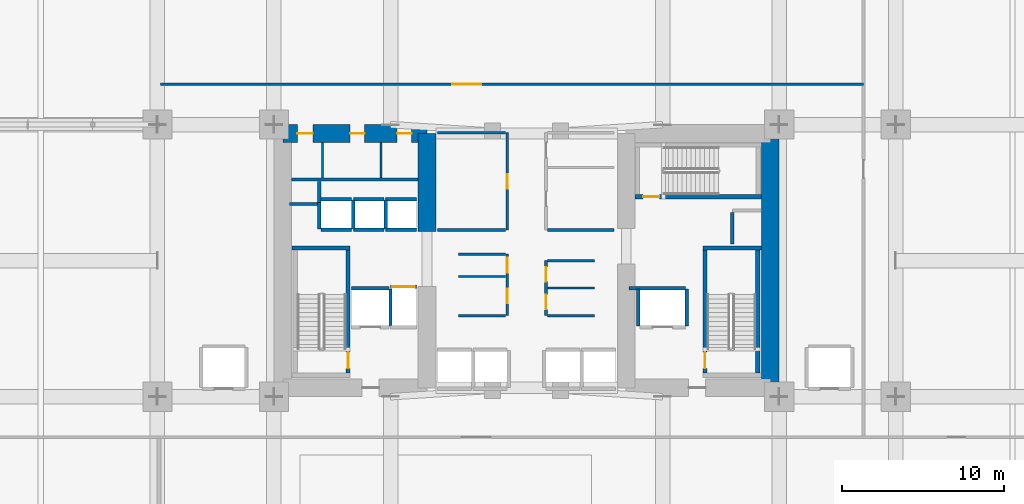
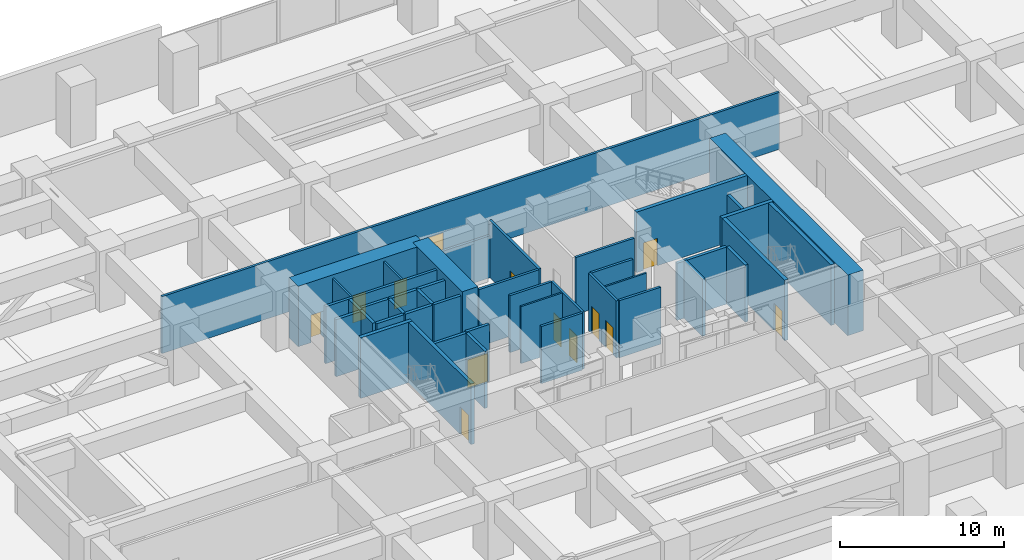
# One storey, part 17 of 25: 43 walls, 13 doors, 13 openings.
"""IFC4 building model written with IfcOpenShell, lengths in metres."""

from ifc_helpers import new_model, si_unit, direction, frame, frame_2d, origin, place, context, subcontext, project, spatial, rectangle, extrude, material, layer, layer_set, type_object, element, fill, save


model = new_model("IFC4")

# Units and contexts
model_context = context("Model", 3, precision=1e-05, world=origin(), true_north=direction((0.0, 1.0)))
body_context = subcontext(model_context, "Body", "Model", "MODEL_VIEW")
ifc_project = project(units=[si_unit("LENGTHUNIT", "METRE"), si_unit("AREAUNIT", "SQUARE_METRE"), si_unit("VOLUMEUNIT", "CUBIC_METRE"), si_unit("PLANEANGLEUNIT", "RADIAN"), si_unit("MASSUNIT", "GRAM", prefix="KILO")], contexts=[model_context])

# Site, building, storey
site_placement = place(None, origin())
site = spatial("IfcSite", under=ifc_project, at=site_placement, CompositionType="ELEMENT")
building_placement = place(site_placement, origin())
building = spatial("IfcBuilding", under=site, at=building_placement, Name="Kiyonajd Concourse Tower", CompositionType="ELEMENT")
storey_placement = place(building_placement, frame((0.0, 0.0, 17.10009765625)))
storey = spatial("IfcBuildingStorey", under=building, at=storey_placement, Name="L05", CompositionType="ELEMENT", Elevation=17.10009765625)

# Wall
ifc_material_1 = material(Name="Concrete C80/95", Category="concrete")
ifc_layer_1 = layer(ifc_material_1, 1.10009765625)
ifc_layer_set_1 = layer_set([ifc_layer_1], Name="Concrete C80/95")
wall_type_1 = type_object("IfcWallType", Name="WL-CORE-1100", PredefinedType="SHEAR", material=ifc_layer_set_1)
wall_1_placement = place(storey_placement, frame((41.85009765625, 37.800048828125, 0.0), z_axis=(0.0, 0.0, 1.0), x_axis=(0.0, 1.0, 0.0)))
element("IfcWall", 1, at=wall_1_placement, inside=storey, type_object=wall_type_1, Name="L05 West Core Inner North Shear Wall", PredefinedType="SHEAR", context=body_context, shape_type="SweptSolid", body=[
    extrude(rectangle(XDim=6.050048828125, YDim=1.10009765625, at=frame_2d((3.02490234375, 0.0))), origin(), (0.0, 0.0, 1.0), 4.5),
])

# Wall, openings, doors
wall_2_placement = place(storey_placement, frame((32.949951171875, 43.85009765625, 0.0), z_axis=(0.0, 0.0, 1.0), x_axis=(1.0, 0.0, 0.0)))
wall_2 = element("IfcWall", 2, at=wall_2_placement, inside=storey, type_object=wall_type_1, Name="L05 West Core North Shear Wall", PredefinedType="SHEAR", context=body_context, shape_type="SweptSolid", body=[
    extrude(rectangle(XDim=8.900146484375, YDim=1.10009765625, at=frame_2d((4.4501953125, 0.0))), origin(), (0.0, 0.0, 1.0), 4.5),
])
opening_1_placement = place(wall_2_placement, frame((0.89990234375, 0.0, 0.0)))
opening_1 = element("IfcOpeningElement", 3, at=opening_1_placement, cuts=wall_2, Name="Opening DI1", PredefinedType="OPENING", context=body_context, shape_type="SweptSolid", body=[
    extrude(rectangle(XDim=0.949951171875, YDim=2.0400390625, at=frame_2d((0.47509765625, 1.02001953125))), frame((0.0, 0.56005859375, 0.0), z_axis=(0.0, -1.0, 0.0), x_axis=(1.0, 0.0, 0.0)), (0.0, 0.0, 1.0), 1.1201171875),
])
opening_2_placement = place(wall_2_placement, frame((4.14990234375, 0.0, 0.0)))
opening_2 = element("IfcOpeningElement", 4, at=opening_2_placement, cuts=wall_2, Name="Opening DI2", PredefinedType="OPENING", context=body_context, shape_type="SweptSolid", body=[
    extrude(rectangle(XDim=0.89990234375, YDim=2.02001953125, at=frame_2d((0.449951171875, 1.010009765625))), frame((0.0, 0.56005859375, 0.0), z_axis=(0.0, -1.0, 0.0), x_axis=(1.0, 0.0, 0.0)), (0.0, 0.0, 1.0), 1.1201171875),
])
opening_3_placement = place(wall_2_placement, frame((7.050048828125, 0.0, 0.0)))
opening_3 = element("IfcOpeningElement", 5, at=opening_3_placement, cuts=wall_2, Name="Opening DI2", PredefinedType="OPENING", context=body_context, shape_type="SweptSolid", body=[
    extrude(rectangle(XDim=0.89990234375, YDim=2.02001953125, at=frame_2d((0.449951171875, 1.010009765625))), frame((0.0, 0.56005859375, 0.0), z_axis=(0.0, -1.0, 0.0), x_axis=(1.0, 0.0, 0.0)), (0.0, 0.0, 1.0), 1.1201171875),
])
ifc_material_2 = material(Name="Natural Oak Acoustic Timber Veneer", Category="wood")
door_type_1 = type_object("IfcDoorType", Name="DR-INT-900", OperationType="NOTDEFINED", PredefinedType="DOOR", material=ifc_material_2)
door_1_placement = place(opening_2_placement, origin())
door_1 = element("IfcDoor", 6, at=door_1_placement, inside=storey, type_object=door_type_1, Name="L05 Male Restroom Door", OperationType="SINGLE_SWING_RIGHT", OverallHeight=2.02001953125, OverallWidth=0.89990234375, PredefinedType="DOOR", context=body_context, shape_type="SweptSolid", body=[
    extrude(rectangle(XDim=0.89990234375, YDim=2.02001953125, at=frame_2d((0.449951171875, 1.010009765625))), frame((0.0, 0.02490234375, 0.0), z_axis=(0.0, -1.0, 0.0), x_axis=(1.0, 0.0, 0.0)), (0.0, 0.0, 1.0), 0.050048828125),
])
fill(opening_2, door_1)
door_2_placement = place(opening_3_placement, origin())
door_2 = element("IfcDoor", 7, at=door_2_placement, inside=storey, type_object=door_type_1, Name="L05 Female Restroom Door", OperationType="SINGLE_SWING_LEFT", OverallHeight=2.02001953125, OverallWidth=0.89990234375, PredefinedType="DOOR", context=body_context, shape_type="SweptSolid", body=[
    extrude(rectangle(XDim=0.89990234375, YDim=2.02001953125, at=frame_2d((0.449951171875, 1.010009765625))), frame((0.0, 0.02490234375, 0.0), z_axis=(0.0, -1.0, 0.0), x_axis=(1.0, 0.0, 0.0)), (0.0, 0.0, 1.0), 0.050048828125),
])
fill(opening_3, door_2)
door_type_2 = type_object("IfcDoorType", Name="DR-INT-950", OperationType="NOTDEFINED", PredefinedType="DOOR", material=ifc_material_2)
door_3_placement = place(opening_1_placement, origin())
door_3 = element("IfcDoor", 8, at=door_3_placement, inside=storey, type_object=door_type_2, Name="L05 Single User Accessible WC Door", OperationType="SINGLE_SWING_LEFT", OverallHeight=2.0400390625, OverallWidth=0.949951171875, PredefinedType="DOOR", context=body_context, shape_type="SweptSolid", body=[
    extrude(rectangle(XDim=0.949951171875, YDim=2.0400390625, at=frame_2d((0.47509765625, 1.02001953125))), frame((0.0, 0.02490234375, 0.0), z_axis=(0.0, -1.0, 0.0), x_axis=(1.0, 0.0, 0.0)), (0.0, 0.0, 1.0), 0.050048828125),
])
fill(opening_1, door_3)

# Walls
wall_3_placement = place(storey_placement, frame((63.050048828125, 27.60009765625, 0.0), z_axis=(0.0, 0.0, 1.0), x_axis=(0.0, 1.0, 0.0)))
element("IfcWall", 9, at=wall_3_placement, inside=storey, type_object=wall_type_1, Name="L05 East Core Outer Shear Wall", PredefinedType="SHEAR", context=body_context, shape_type="SweptSolid", body=[
    extrude(rectangle(XDim=16.7998046875, YDim=1.10009765625, at=frame_2d((8.39990234375, 0.0))), origin(), (0.0, 0.0, 1.0), 4.5),
])
ifc_material_3 = material(Name="Gypsum Board on Cold-Formed Steel Stud", Category="steel")
ifc_layer_2 = layer(ifc_material_3, 0.125)
ifc_layer_set_2 = layer_set([ifc_layer_2], Name="Gypsum Board on Cold-Formed Steel Stud")
wall_type_2 = type_object("IfcWallType", Name="WL-PART-125", PredefinedType="PARTITIONING", material=ifc_layer_set_2)
for number, where, z_axis, x_axis, name in (
    (10, (35.39990234375, 41.094970703125, 0.0), (0.0, 0.0, 1.0), (0.0, 1.0, 0.0), "L05 Interior Partition Wall"),
    (11, (39.0, 41.094970703125, 0.0), (0.0, 0.0, 1.0), (0.0, 1.0, 0.0), "L05 Interior Partition Wall"),
):
    element("IfcWall", number, at=place(storey_placement, frame(where, z_axis=z_axis, x_axis=x_axis)), inside=storey, type_object=wall_type_2, Name=name, PredefinedType="PARTITIONING", context=body_context, shape_type="SweptSolid", body=[
        extrude(rectangle(XDim=2.205078125, YDim=0.125, at=frame_2d((1.1025390625, 0.0))), origin(), (0.0, 0.0, 1.0), 4.239990234375),
    ])
for number, where, z_axis, x_axis, name in (
    (12, (43.800048828125, 35.031982421875, 0.0), (0.0, 0.0, 1.0), (1.0, 0.0, 0.0), "L05 Interior Partition Wall"),
    (13, (49.287109375, 34.300048828125, 0.0), (0.0, 0.0, 1.0), (1.0, 0.0, 0.0), "L05 Interior Partition Wall"),
):
    element("IfcWall", number, at=place(storey_placement, frame(where, z_axis=z_axis, x_axis=x_axis)), inside=storey, type_object=wall_type_2, Name=name, PredefinedType="PARTITIONING", context=body_context, shape_type="SweptSolid", body=[
        extrude(rectangle(XDim=2.912841796875, YDim=0.125, at=frame_2d((1.45654296875, 0.0))), origin(), (0.0, 0.0, 1.0), 4.239990234375),
    ])
ifc_layer_3 = layer(ifc_material_3, 0.18994140625)
ifc_layer_set_3 = layer_set([ifc_layer_3], Name="Gypsum Board on Cold-Formed Steel Stud")
wall_type_3 = type_object("IfcWallType", Name="WL-PLMB-190", PredefinedType="PLUMBINGWALL", material=ifc_layer_set_3)
wall_4_placement = place(storey_placement, frame((33.5, 41.0, 0.0), z_axis=(0.0, 0.0, 1.0), x_axis=(1.0, 0.0, 0.0)))
element("IfcWall", 14, at=wall_4_placement, inside=storey, type_object=wall_type_3, Name="L05 Interior Partition Wall", PredefinedType="PLUMBINGWALL", context=body_context, shape_type="SweptSolid", body=[
    extrude(rectangle(XDim=7.800048828125, YDim=0.18994140625, at=frame_2d((3.89990234375, 0.0))), origin(), (0.0, 0.0, 1.0), 4.239990234375),
])
ifc_layer_4 = layer(ifc_material_3, 0.2099609375)
ifc_layer_set_4 = layer_set([ifc_layer_4], Name="Gypsum Board on Cold-Formed Steel Stud")
wall_type_4 = type_object("IfcWallType", Name="WL-SHAFT-210", PredefinedType="PARTITIONING", material=ifc_layer_set_4)
wall_5_placement = place(storey_placement, frame((33.360107421875, 39.5, 0.0), z_axis=(0.0, 0.0, 1.0), x_axis=(1.0, 0.0, 0.0)))
element("IfcWall", 15, at=wall_5_placement, inside=storey, type_object=wall_type_4, Name="L05 Shaft Enclosure Wall", PredefinedType="PARTITIONING", context=body_context, shape_type="SweptSolid", body=[
    extrude(rectangle(XDim=1.85986328125, YDim=0.2099609375, at=frame_2d((0.929931640625, 0.0))), origin(), (0.0, 0.0, 1.0), 4.239990234375),
])
wall_6_placement = place(storey_placement, frame((35.199951171875, 39.580078125, 0.0), z_axis=(0.0, 0.0, 1.0), x_axis=(0.0, 1.0, 0.0)))
element("IfcWall", 16, at=wall_6_placement, inside=storey, type_object=wall_type_4, Name="L05 Shaft Enclosure Wall", PredefinedType="PARTITIONING", context=body_context, shape_type="SweptSolid", body=[
    extrude(rectangle(XDim=1.31982421875, YDim=0.2099609375, at=frame_2d((0.659912109375, 0.0))), origin(), (0.0, 0.0, 1.0), 4.239990234375),
])
wall_7_placement = place(storey_placement, frame((60.699951171875, 37.02001953125, 0.0), z_axis=(0.0, 0.0, 1.0), x_axis=(0.0, 1.0, 0.0)))
element("IfcWall", 17, at=wall_7_placement, inside=storey, type_object=wall_type_4, Name="L05 Shaft Enclosure Wall", PredefinedType="PARTITIONING", context=body_context, shape_type="SweptSolid", body=[
    extrude(rectangle(XDim=1.9599609375, YDim=0.2099609375, at=frame_2d((0.97998046875, 0.0))), origin(), (0.0, 0.0, 1.0), 4.239990234375),
])
wall_8_placement = place(storey_placement, frame((37.199951171875, 34.300048828125, 0.0), z_axis=(0.0, 0.0, 1.0), x_axis=(1.0, 0.0, 0.0)))
element("IfcWall", 18, at=wall_8_placement, inside=storey, type_object=wall_type_4, Name="L05 Shaft Enclosure Wall", PredefinedType="PARTITIONING", context=body_context, shape_type="SweptSolid", body=[
    extrude(rectangle(XDim=2.300048828125, YDim=0.2099609375, at=frame_2d((1.14990234375, 0.0))), origin(), (0.0, 0.0, 1.0), 4.239990234375),
])
wall_9_placement = place(storey_placement, frame((39.60009765625, 31.9599609375, 0.0), z_axis=(0.0, 0.0, 1.0), x_axis=(0.0, 1.0, 0.0)))
element("IfcWall", 19, at=wall_9_placement, inside=storey, type_object=wall_type_4, Name="L05 Shaft Enclosure Wall", PredefinedType="PARTITIONING", context=body_context, shape_type="SweptSolid", body=[
    extrude(rectangle(XDim=2.280029296875, YDim=0.2099609375, at=frame_2d((1.14013671875, 0.0))), origin(), (0.0, 0.0, 1.0), 4.239990234375),
])
wall_10_placement = place(storey_placement, frame((54.320068359375, 34.300048828125, 0.0), z_axis=(0.0, 0.0, 1.0), x_axis=(1.0, 0.0, 0.0)))
element("IfcWall", 20, at=wall_10_placement, inside=storey, type_object=wall_type_4, Name="L05 Shaft Enclosure Wall", PredefinedType="PARTITIONING", context=body_context, shape_type="SweptSolid", body=[
    extrude(rectangle(XDim=3.47998046875, YDim=0.2099609375, at=frame_2d((1.739990234375, 0.0))), origin(), (0.0, 0.0, 1.0), 4.239990234375),
])
for number, where, z_axis, x_axis, name in (
    (21, (54.89990234375, 31.9599609375, 0.0), (0.0, 0.0, 1.0), (0.0, 1.0, 0.0), "L05 Shaft Enclosure Wall"),
    (22, (57.89990234375, 31.9599609375, 0.0), (0.0, 0.0, 1.0), (0.0, 1.0, 0.0), "L05 Shaft Enclosure Wall"),
):
    element("IfcWall", number, at=place(storey_placement, frame(where, z_axis=z_axis, x_axis=x_axis)), inside=storey, type_object=wall_type_4, Name=name, PredefinedType="PARTITIONING", context=body_context, shape_type="SweptSolid", body=[
        extrude(rectangle(XDim=2.280029296875, YDim=0.2099609375, at=frame_2d((1.14013671875, 0.0))), origin(), (0.0, 0.0, 1.0), 4.239990234375),
    ])

# Wall, opening, door
wall_11_placement = place(storey_placement, frame((39.60009765625, 34.39990234375, 0.0), z_axis=(0.0, 0.0, 1.0), x_axis=(1.0, 0.0, 0.0)))
wall_11 = element("IfcWall", 23, at=wall_11_placement, inside=storey, type_object=wall_type_4, Name="L05 Shaft Enclosure Wall", PredefinedType="PARTITIONING", context=body_context, shape_type="SweptSolid", body=[
    extrude(rectangle(XDim=1.599853515625, YDim=0.2099609375, at=frame_2d((0.7998046875, 0.0))), origin(), (0.0, 0.0, 1.0), 4.239990234375),
])
opening_4_placement = place(wall_11_placement, frame((0.10009765625, 0.0, 0.0)))
opening_4 = element("IfcOpeningElement", 24, at=opening_4_placement, cuts=wall_11, Name="Opening LD3", PredefinedType="OPENING", context=body_context, shape_type="SweptSolid", body=[
    extrude(rectangle(XDim=1.39990234375, YDim=2.06005859375, at=frame_2d((0.699951171875, 1.030029296875))), frame((0.0, 0.114990234375, 0.0), z_axis=(0.0, -1.0, 0.0), x_axis=(1.0, 0.0, 0.0)), (0.0, 0.0, 1.0), 0.22998046875),
])
ifc_material_4 = material(Name="Brushed Stainless Steel Cab Assembly", Category="steel")
door_type_3 = type_object("IfcDoorType", Name="DR-LD-1400", OperationType="DOUBLE_DOOR_SLIDING", PredefinedType="DOOR", material=ifc_material_4)
door_4_placement = place(opening_4_placement, origin())
door_4 = element("IfcDoor", 25, at=door_4_placement, inside=storey, type_object=door_type_3, Name="L05 Lift SVL1 Sliding Landing Door", OperationType="DOUBLE_DOOR_SLIDING", OverallHeight=2.06005859375, OverallWidth=1.39990234375, PredefinedType="DOOR", context=body_context, shape_type="SweptSolid", body=[
    extrude(rectangle(XDim=1.39990234375, YDim=2.06005859375, at=frame_2d((0.699951171875, 1.030029296875))), frame((0.0, 0.02490234375, 0.0), z_axis=(0.0, -1.0, 0.0), x_axis=(1.0, 0.0, 0.0)), (0.0, 0.0, 1.0), 0.050048828125),
])
fill(opening_4, door_4)

# Walls
for number, where, z_axis, x_axis, name in (
    (26, (35.300048828125, 37.89990234375, 0.0), (0.0, 0.0, 1.0), (1.0, 0.0, 0.0), "L05 Shaft Enclosure Wall"),
    (27, (35.300048828125, 39.800048828125, 0.0), (0.0, 0.0, 1.0), (1.0, 0.0, 0.0), "L05 Shaft Enclosure Wall"),
):
    element("IfcWall", number, at=place(storey_placement, frame(where, z_axis=z_axis, x_axis=x_axis)), inside=storey, type_object=wall_type_4, Name=name, PredefinedType="PARTITIONING", context=body_context, shape_type="SweptSolid", body=[
        extrude(rectangle(XDim=1.89990234375, YDim=0.2099609375, at=frame_2d((0.949951171875, 0.0))), origin(), (0.0, 0.0, 1.0), 4.239990234375),
    ])
wall_12_placement = place(storey_placement, frame((35.199951171875, 37.9599609375, 0.0), z_axis=(0.0, 0.0, 1.0), x_axis=(0.0, 1.0, 0.0)))
element("IfcWall", 28, at=wall_12_placement, inside=storey, type_object=wall_type_4, Name="L05 Shaft Enclosure Wall", PredefinedType="PARTITIONING", context=body_context, shape_type="SweptSolid", body=[
    extrude(rectangle(XDim=1.6201171875, YDim=0.2099609375, at=frame_2d((0.81005859375, 0.0))), origin(), (0.0, 0.0, 1.0), 4.239990234375),
])
wall_13_placement = place(storey_placement, frame((37.300048828125, 37.9599609375, 0.0), z_axis=(0.0, 0.0, 1.0), x_axis=(0.0, 1.0, 0.0)))
element("IfcWall", 29, at=wall_13_placement, inside=storey, type_object=wall_type_4, Name="L05 Shaft Enclosure Wall", PredefinedType="PARTITIONING", context=body_context, shape_type="SweptSolid", body=[
    extrude(rectangle(XDim=1.780029296875, YDim=0.2099609375, at=frame_2d((0.89013671875, 0.0))), origin(), (0.0, 0.0, 1.0), 4.239990234375),
])
for number, where, z_axis, x_axis, name in (
    (30, (37.300048828125, 37.89990234375, 0.0), (0.0, 0.0, 1.0), (1.0, 0.0, 0.0), "L05 Shaft Enclosure Wall"),
    (31, (37.300048828125, 39.800048828125, 0.0), (0.0, 0.0, 1.0), (1.0, 0.0, 0.0), "L05 Shaft Enclosure Wall"),
):
    element("IfcWall", number, at=place(storey_placement, frame(where, z_axis=z_axis, x_axis=x_axis)), inside=storey, type_object=wall_type_4, Name=name, PredefinedType="PARTITIONING", context=body_context, shape_type="SweptSolid", body=[
        extrude(rectangle(XDim=1.89990234375, YDim=0.2099609375, at=frame_2d((0.949951171875, 0.0))), origin(), (0.0, 0.0, 1.0), 4.239990234375),
    ])
wall_14_placement = place(storey_placement, frame((39.300048828125, 37.9599609375, 0.0), z_axis=(0.0, 0.0, 1.0), x_axis=(0.0, 1.0, 0.0)))
element("IfcWall", 32, at=wall_14_placement, inside=storey, type_object=wall_type_4, Name="L05 Shaft Enclosure Wall", PredefinedType="PARTITIONING", context=body_context, shape_type="SweptSolid", body=[
    extrude(rectangle(XDim=1.780029296875, YDim=0.2099609375, at=frame_2d((0.89013671875, 0.0))), origin(), (0.0, 0.0, 1.0), 4.239990234375),
])
for number, where, z_axis, x_axis, name in (
    (33, (39.300048828125, 37.89990234375, 0.0), (0.0, 0.0, 1.0), (1.0, 0.0, 0.0), "L05 Shaft Enclosure Wall"),
    (34, (39.300048828125, 39.800048828125, 0.0), (0.0, 0.0, 1.0), (1.0, 0.0, 0.0), "L05 Shaft Enclosure Wall"),
):
    element("IfcWall", number, at=place(storey_placement, frame(where, z_axis=z_axis, x_axis=x_axis)), inside=storey, type_object=wall_type_4, Name=name, PredefinedType="PARTITIONING", context=body_context, shape_type="SweptSolid", body=[
        extrude(rectangle(XDim=1.89990234375, YDim=0.2099609375, at=frame_2d((0.949951171875, 0.0))), origin(), (0.0, 0.0, 1.0), 4.239990234375),
    ])

# Wall, openings, doors
ifc_layer_5 = layer(ifc_material_3, 0.169921875)
ifc_layer_set_5 = layer_set([ifc_layer_5], Name="Gypsum Board on Cold-Formed Steel Stud")
wall_type_5 = type_object("IfcWallType", Name="WL-SMK-170", PredefinedType="PARTITIONING", material=ifc_layer_set_5)
wall_15_placement = place(storey_placement, frame((46.800048828125, 32.60009765625, 0.0), z_axis=(0.0, 0.0, 1.0), x_axis=(0.0, 1.0, 0.0)))
wall_15 = element("IfcWall", 35, at=wall_15_placement, inside=storey, type_object=wall_type_5, Name="L05 Interior Partition Wall", PredefinedType="PARTITIONING", context=body_context, shape_type="SweptSolid", body=[
    extrude(rectangle(XDim=3.7998046875, YDim=0.169921875, at=frame_2d((1.89990234375, 0.0))), origin(), (0.0, 0.0, 1.0), 4.239990234375),
])
opening_5_placement = place(wall_15_placement, frame((0.76611328125, 0.0, 0.0)))
opening_5 = element("IfcOpeningElement", 36, at=opening_5_placement, cuts=wall_15, Name="Opening DF4", PredefinedType="OPENING", context=body_context, shape_type="SweptSolid", body=[
    extrude(rectangle(XDim=0.89990234375, YDim=2.02001953125, at=frame_2d((0.449951171875, 1.010009765625))), frame((0.0, 0.094970703125, 0.0), z_axis=(0.0, -1.0, 0.0), x_axis=(1.0, 0.0, 0.0)), (0.0, 0.0, 1.0), 0.18994140625),
])
opening_6_placement = place(wall_15_placement, frame((2.666015625, 0.0, 0.0)))
opening_6 = element("IfcOpeningElement", 37, at=opening_6_placement, cuts=wall_15, Name="Opening DF4", PredefinedType="OPENING", context=body_context, shape_type="SweptSolid", body=[
    extrude(rectangle(XDim=0.89990234375, YDim=2.02001953125, at=frame_2d((0.449951171875, 1.010009765625))), frame((0.0, 0.094970703125, 0.0), z_axis=(0.0, -1.0, 0.0), x_axis=(1.0, 0.0, 0.0)), (0.0, 0.0, 1.0), 0.18994140625),
])
door_type_4 = type_object("IfcDoorType", Name="DR-FD60-900", OperationType="NOTDEFINED", PredefinedType="DOOR", material=ifc_material_4)
door_5_placement = place(opening_5_placement, origin())
door_5 = element("IfcDoor", 38, at=door_5_placement, inside=storey, type_object=door_type_4, Name="L05 Interior Door", OperationType="SINGLE_SWING_LEFT", OverallHeight=2.02001953125, OverallWidth=0.89990234375, PredefinedType="DOOR", context=body_context, shape_type="SweptSolid", body=[
    extrude(rectangle(XDim=0.89990234375, YDim=2.02001953125, at=frame_2d((0.449951171875, 1.010009765625))), frame((0.0, 0.02490234375, 0.0), z_axis=(0.0, -1.0, 0.0), x_axis=(1.0, 0.0, 0.0)), (0.0, 0.0, 1.0), 0.050048828125),
])
fill(opening_5, door_5)
door_6_placement = place(opening_6_placement, origin())
door_6 = element("IfcDoor", 39, at=door_6_placement, inside=storey, type_object=door_type_4, Name="L05 Interior Door", OperationType="SINGLE_SWING_RIGHT", OverallHeight=2.02001953125, OverallWidth=0.89990234375, PredefinedType="DOOR", context=body_context, shape_type="SweptSolid", body=[
    extrude(rectangle(XDim=0.89990234375, YDim=2.02001953125, at=frame_2d((0.449951171875, 1.010009765625))), frame((0.0, 0.02490234375, 0.0), z_axis=(0.0, -1.0, 0.0), x_axis=(1.0, 0.0, 0.0)), (0.0, 0.0, 1.0), 0.050048828125),
])
fill(opening_6, door_6)

# Walls
for number, where, z_axis, x_axis, name in (
    (40, (43.800048828125, 32.60009765625, 0.0), (0.0, 0.0, 1.0), (1.0, 0.0, 0.0), "L05 Interior Partition Wall"),
    (41, (43.800048828125, 36.39990234375, 0.0), (0.0, 0.0, 1.0), (1.0, 0.0, 0.0), "L05 Interior Partition Wall"),
):
    element("IfcWall", number, at=place(storey_placement, frame(where, z_axis=z_axis, x_axis=x_axis)), inside=storey, type_object=wall_type_5, Name=name, PredefinedType="PARTITIONING", context=body_context, shape_type="SweptSolid", body=[
        extrude(rectangle(XDim=2.912841796875, YDim=0.169921875, at=frame_2d((1.45654296875, 0.0))), origin(), (0.0, 0.0, 1.0), 4.239990234375),
    ])

# Wall, openings, doors
wall_16_placement = place(storey_placement, frame((49.199951171875, 32.60009765625, 0.0), z_axis=(0.0, 0.0, 1.0), x_axis=(0.0, 1.0, 0.0)))
wall_16 = element("IfcWall", 42, at=wall_16_placement, inside=storey, type_object=wall_type_5, Name="L05 Interior Partition Wall", PredefinedType="PARTITIONING", context=body_context, shape_type="SweptSolid", body=[
    extrude(rectangle(XDim=3.39990234375, YDim=0.169921875, at=frame_2d((1.699951171875, 0.0))), origin(), (0.0, 0.0, 1.0), 4.239990234375),
])
opening_7_placement = place(wall_16_placement, frame((0.39990234375, 0.0, 0.0)))
opening_7 = element("IfcOpeningElement", 43, at=opening_7_placement, cuts=wall_16, Name="Opening DI2", PredefinedType="OPENING", context=body_context, shape_type="SweptSolid", body=[
    extrude(rectangle(XDim=0.89990234375, YDim=2.02001953125, at=frame_2d((0.449951171875, 1.010009765625))), frame((0.0, 0.094970703125, 0.0), z_axis=(0.0, -1.0, 0.0), x_axis=(1.0, 0.0, 0.0)), (0.0, 0.0, 1.0), 0.18994140625),
])
opening_8_placement = place(wall_16_placement, frame((2.10009765625, 0.0, 0.0)))
opening_8 = element("IfcOpeningElement", 44, at=opening_8_placement, cuts=wall_16, Name="Opening DI2", PredefinedType="OPENING", context=body_context, shape_type="SweptSolid", body=[
    extrude(rectangle(XDim=0.89990234375, YDim=2.02001953125, at=frame_2d((0.449951171875, 1.010009765625))), frame((0.0, 0.094970703125, 0.0), z_axis=(0.0, -1.0, 0.0), x_axis=(1.0, 0.0, 0.0)), (0.0, 0.0, 1.0), 0.18994140625),
])
door_7_placement = place(opening_7_placement, origin())
door_7 = element("IfcDoor", 45, at=door_7_placement, inside=storey, type_object=door_type_1, Name="L05 Interior Door", OperationType="SINGLE_SWING_LEFT", OverallHeight=2.02001953125, OverallWidth=0.89990234375, PredefinedType="DOOR", context=body_context, shape_type="SweptSolid", body=[
    extrude(rectangle(XDim=0.89990234375, YDim=2.02001953125, at=frame_2d((0.449951171875, 1.010009765625))), frame((0.0, 0.02490234375, 0.0), z_axis=(0.0, -1.0, 0.0), x_axis=(1.0, 0.0, 0.0)), (0.0, 0.0, 1.0), 0.050048828125),
])
fill(opening_7, door_7)
door_8_placement = place(opening_8_placement, origin())
door_8 = element("IfcDoor", 46, at=door_8_placement, inside=storey, type_object=door_type_1, Name="L05 Interior Door", OperationType="SINGLE_SWING_RIGHT", OverallHeight=2.02001953125, OverallWidth=0.89990234375, PredefinedType="DOOR", context=body_context, shape_type="SweptSolid", body=[
    extrude(rectangle(XDim=0.89990234375, YDim=2.02001953125, at=frame_2d((0.449951171875, 1.010009765625))), frame((0.0, 0.02490234375, 0.0), z_axis=(0.0, -1.0, 0.0), x_axis=(1.0, 0.0, 0.0)), (0.0, 0.0, 1.0), 0.050048828125),
])
fill(opening_8, door_8)

# Walls
for number, where, z_axis, x_axis, name in (
    (47, (49.287109375, 32.60009765625, 0.0), (0.0, 0.0, 1.0), (1.0, 0.0, 0.0), "L05 Interior Partition Wall"),
    (48, (49.287109375, 36.0, 0.0), (0.0, 0.0, 1.0), (1.0, 0.0, 0.0), "L05 Interior Partition Wall"),
):
    element("IfcWall", number, at=place(storey_placement, frame(where, z_axis=z_axis, x_axis=x_axis)), inside=storey, type_object=wall_type_5, Name=name, PredefinedType="PARTITIONING", context=body_context, shape_type="SweptSolid", body=[
        extrude(rectangle(XDim=2.912841796875, YDim=0.169921875, at=frame_2d((1.45654296875, 0.0))), origin(), (0.0, 0.0, 1.0), 4.239990234375),
    ])

# Wall, opening, door
wall_17_placement = place(storey_placement, frame((46.800048828125, 37.89990234375, 0.0), z_axis=(0.0, 0.0, 1.0), x_axis=(0.0, 1.0, 0.0)))
wall_17 = element("IfcWall", 49, at=wall_17_placement, inside=storey, type_object=wall_type_5, Name="L05 Interior Partition Wall", PredefinedType="PARTITIONING", context=body_context, shape_type="SweptSolid", body=[
    extrude(rectangle(XDim=6.0, YDim=0.169921875, at=frame_2d((3.0, 0.0))), origin(), (0.0, 0.0, 1.0), 4.239990234375),
])
opening_9_placement = place(wall_17_placement, frame((2.550048828125, 0.0, 0.0)))
opening_9 = element("IfcOpeningElement", 50, at=opening_9_placement, cuts=wall_17, Name="Opening DI2", PredefinedType="OPENING", context=body_context, shape_type="SweptSolid", body=[
    extrude(rectangle(XDim=0.89990234375, YDim=2.02001953125, at=frame_2d((0.449951171875, 1.010009765625))), frame((0.0, 0.094970703125, 0.0), z_axis=(0.0, -1.0, 0.0), x_axis=(1.0, 0.0, 0.0)), (0.0, 0.0, 1.0), 0.18994140625),
])
door_9_placement = place(opening_9_placement, origin())
door_9 = element("IfcDoor", 51, at=door_9_placement, inside=storey, type_object=door_type_1, Name="L05 Interior Door", OperationType="SINGLE_SWING_LEFT", OverallHeight=2.02001953125, OverallWidth=0.89990234375, PredefinedType="DOOR", context=body_context, shape_type="SweptSolid", body=[
    extrude(rectangle(XDim=0.89990234375, YDim=2.02001953125, at=frame_2d((0.449951171875, 1.010009765625))), frame((0.0, 0.02490234375, 0.0), z_axis=(0.0, -1.0, 0.0), x_axis=(1.0, 0.0, 0.0)), (0.0, 0.0, 1.0), 0.050048828125),
])
fill(opening_9, door_9)

# Walls
wall_18_placement = place(storey_placement, frame((42.5, 37.89990234375, 0.0), z_axis=(0.0, 0.0, 1.0), x_axis=(1.0, 0.0, 0.0)))
element("IfcWall", 52, at=wall_18_placement, inside=storey, type_object=wall_type_5, Name="L05 Interior Partition Wall", PredefinedType="PARTITIONING", context=body_context, shape_type="SweptSolid", body=[
    extrude(rectangle(XDim=4.212890625, YDim=0.169921875, at=frame_2d((2.1064453125, 0.0))), origin(), (0.0, 0.0, 1.0), 4.239990234375),
])
wall_19_placement = place(storey_placement, frame((42.5, 43.89990234375, 0.0), z_axis=(0.0, 0.0, 1.0), x_axis=(1.0, 0.0, 0.0)))
element("IfcWall", 53, at=wall_19_placement, inside=storey, type_object=wall_type_5, Name="L05 Interior Partition Wall", PredefinedType="PARTITIONING", context=body_context, shape_type="SweptSolid", body=[
    extrude(rectangle(XDim=4.212890625, YDim=0.169921875, at=frame_2d((2.1064453125, 0.0))), origin(), (0.0, 0.0, 1.0), 3.125),
])
wall_20_placement = place(storey_placement, frame((49.287109375, 37.89990234375, 0.0), z_axis=(0.0, 0.0, 1.0), x_axis=(1.0, 0.0, 0.0)))
element("IfcWall", 54, at=wall_20_placement, inside=storey, type_object=wall_type_5, Name="L05 Interior Partition Wall", PredefinedType="PARTITIONING", context=body_context, shape_type="SweptSolid", body=[
    extrude(rectangle(XDim=4.11279296875, YDim=0.169921875, at=frame_2d((2.056396484375, 0.0))), origin(), (0.0, 0.0, 1.0), 4.239990234375),
])

# Wall, opening, door
wall_21_placement = place(storey_placement, frame((25.39990234375, 46.89990234375, 0.0), z_axis=(0.0, 0.0, 1.0), x_axis=(1.0, 0.0, 0.0)))
wall_21 = element("IfcWall", 55, at=wall_21_placement, inside=storey, type_object=wall_type_5, Name="L05 Interior Partition Wall", PredefinedType="PARTITIONING", context=body_context, shape_type="SweptSolid", body=[
    extrude(rectangle(XDim=43.400146484375, YDim=0.169921875, at=frame_2d((21.7001953125, 0.0))), origin(), (0.0, 0.0, 1.0), 4.239990234375),
])
opening_10_placement = place(wall_21_placement, frame((18.0, 0.0, 0.0)))
opening_10 = element("IfcOpeningElement", 56, at=opening_10_placement, cuts=wall_21, Name="Opening DI3", PredefinedType="OPENING", context=body_context, shape_type="SweptSolid", body=[
    extrude(rectangle(XDim=1.800048828125, YDim=2.06005859375, at=frame_2d((0.89990234375, 1.030029296875))), frame((0.0, 0.094970703125, 0.0), z_axis=(0.0, -1.0, 0.0), x_axis=(1.0, 0.0, 0.0)), (0.0, 0.0, 1.0), 0.18994140625),
])
door_type_5 = type_object("IfcDoorType", Name="DR-PAIR-1800", OperationType="DOUBLE_DOOR_SINGLE_SWING", PredefinedType="DOOR", material=ifc_material_4)
door_10_placement = place(opening_10_placement, origin())
door_10 = element("IfcDoor", 57, at=door_10_placement, inside=storey, type_object=door_type_5, Name="L05 Interior Door", OperationType="DOUBLE_DOOR_SINGLE_SWING", OverallHeight=2.06005859375, OverallWidth=1.800048828125, PredefinedType="DOOR", context=body_context, shape_type="SweptSolid", body=[
    extrude(rectangle(XDim=1.800048828125, YDim=2.06005859375, at=frame_2d((0.89990234375, 1.030029296875))), frame((0.0, 0.02490234375, 0.0), z_axis=(0.0, -1.0, 0.0), x_axis=(1.0, 0.0, 0.0)), (0.0, 0.0, 1.0), 0.050048828125),
])
fill(opening_10, door_10)

# Wall
ifc_material_5 = material(Name="Concrete C50/60", Category="concrete")
ifc_layer_6 = layer(ifc_material_5, 0.260009765625)
ifc_layer_set_6 = layer_set([ifc_layer_6], Name="Concrete C50/60")
wall_type_6 = type_object("IfcWallType", Name="WL-STAIR-260", PredefinedType="SHEAR", material=ifc_layer_set_6)
wall_22_placement = place(storey_placement, frame((33.5, 36.780029296875, 0.0), z_axis=(0.0, 0.0, 1.0), x_axis=(1.0, 0.0, 0.0)))
element("IfcWall", 58, at=wall_22_placement, inside=storey, type_object=wall_type_6, Name="L05 Stair ST1 Structural North Wall", PredefinedType="SHEAR", context=body_context, shape_type="SweptSolid", body=[
    extrude(rectangle(XDim=3.610107421875, YDim=0.260009765625, at=frame_2d((1.80517578125, 0.0))), origin(), (0.0, 0.0, 1.0), 4.5),
])

# Wall, opening, door
wall_23_placement = place(storey_placement, frame((36.97998046875, 29.050048828125, 0.0), z_axis=(0.0, 0.0, 1.0), x_axis=(0.0, 1.0, 0.0)))
wall_23 = element("IfcWall", 59, at=wall_23_placement, inside=storey, type_object=wall_type_6, Name="L05 Stair ST1 Structural East Wall", PredefinedType="SHEAR", context=body_context, shape_type="SweptSolid", body=[
    extrude(rectangle(XDim=7.599853515625, YDim=0.260009765625, at=frame_2d((3.7998046875, 0.0))), origin(), (0.0, 0.0, 1.0), 4.5),
])
opening_11_placement = place(wall_23_placement, frame((0.300048828125, 0.0, 0.0)))
opening_11 = element("IfcOpeningElement", 60, at=opening_11_placement, cuts=wall_23, Name="Opening DF1", PredefinedType="OPENING", context=body_context, shape_type="SweptSolid", body=[
    extrude(rectangle(XDim=1.0, YDim=2.0400390625, at=frame_2d((0.5, 1.02001953125))), frame((0.0, 0.139892578125, 0.0), z_axis=(0.0, -1.0, 0.0), x_axis=(1.0, 0.0, 0.0)), (0.0, 0.0, 1.0), 0.280029296875),
])
door_type_6 = type_object("IfcDoorType", Name="DR-FD90-1000", OperationType="NOTDEFINED", PredefinedType="DOOR", material=ifc_material_4)
door_11_placement = place(opening_11_placement, origin())
door_11 = element("IfcDoor", 61, at=door_11_placement, inside=storey, type_object=door_type_6, Name="L05 Stair ST1 FSAE Door", OperationType="SINGLE_SWING_LEFT", OverallHeight=2.0400390625, OverallWidth=1.0, PredefinedType="DOOR", context=body_context, shape_type="SweptSolid", body=[
    extrude(rectangle(XDim=1.0, YDim=2.0400390625, at=frame_2d((0.5, 1.02001953125))), frame((0.0, 0.02490234375, 0.0), z_axis=(0.0, -1.0, 0.0), x_axis=(1.0, 0.0, 0.0)), (0.0, 0.0, 1.0), 0.050048828125),
])
fill(opening_11, door_11)

# Wall
wall_24_placement = place(storey_placement, frame((58.889892578125, 36.780029296875, 0.0), z_axis=(0.0, 0.0, 1.0), x_axis=(1.0, 0.0, 0.0)))
element("IfcWall", 62, at=wall_24_placement, inside=storey, type_object=wall_type_6, Name="L05 Stair ST2 Structural North Wall", PredefinedType="SHEAR", context=body_context, shape_type="SweptSolid", body=[
    extrude(rectangle(XDim=3.610107421875, YDim=0.260009765625, at=frame_2d((1.80517578125, 0.0))), origin(), (0.0, 0.0, 1.0), 4.5),
])

# Wall, opening, door
wall_25_placement = place(storey_placement, frame((59.02001953125, 29.050048828125, 0.0), z_axis=(0.0, 0.0, 1.0), x_axis=(0.0, 1.0, 0.0)))
wall_25 = element("IfcWall", 63, at=wall_25_placement, inside=storey, type_object=wall_type_6, Name="L05 Stair ST2 Structural West Wall", PredefinedType="SHEAR", context=body_context, shape_type="SweptSolid", body=[
    extrude(rectangle(XDim=7.599853515625, YDim=0.260009765625, at=frame_2d((3.7998046875, 0.0))), origin(), (0.0, 0.0, 1.0), 4.5),
])
opening_12_placement = place(wall_25_placement, frame((0.300048828125, 0.0, 0.0)))
opening_12 = element("IfcOpeningElement", 64, at=opening_12_placement, cuts=wall_25, Name="Opening DF1", PredefinedType="OPENING", context=body_context, shape_type="SweptSolid", body=[
    extrude(rectangle(XDim=1.0, YDim=2.0400390625, at=frame_2d((0.5, 1.02001953125))), frame((0.0, 0.139892578125, 0.0), z_axis=(0.0, -1.0, 0.0), x_axis=(1.0, 0.0, 0.0)), (0.0, 0.0, 1.0), 0.280029296875),
])
door_12_placement = place(opening_12_placement, origin())
door_12 = element("IfcDoor", 65, at=door_12_placement, inside=storey, type_object=door_type_6, Name="L05 Stair ST2 FSAE Door", OperationType="SINGLE_SWING_RIGHT", OverallHeight=2.0400390625, OverallWidth=1.0, PredefinedType="DOOR", context=body_context, shape_type="SweptSolid", body=[
    extrude(rectangle(XDim=1.0, YDim=2.0400390625, at=frame_2d((0.5, 1.02001953125))), frame((0.0, 0.02490234375, 0.0), z_axis=(0.0, -1.0, 0.0), x_axis=(1.0, 0.0, 0.0)), (0.0, 0.0, 1.0), 0.050048828125),
])
fill(opening_12, door_12)

# Wall
wall_26_placement = place(storey_placement, frame((62.280029296875, 29.050048828125, 0.0), z_axis=(0.0, 0.0, 1.0), x_axis=(0.0, 1.0, 0.0)))
element("IfcWall", 66, at=wall_26_placement, inside=storey, type_object=wall_type_6, Name="L05 Stair ST2 Structural East Wall", PredefinedType="SHEAR", context=body_context, shape_type="SweptSolid", body=[
    extrude(rectangle(XDim=7.599853515625, YDim=0.260009765625, at=frame_2d((3.7998046875, 0.0))), origin(), (0.0, 0.0, 1.0), 4.5),
])

# Wall, opening, door
wall_27_placement = place(storey_placement, frame((54.699951171875, 39.949951171875, 0.0), z_axis=(0.0, 0.0, 1.0), x_axis=(1.0, 0.0, 0.0)))
wall_27 = element("IfcWall", 67, at=wall_27_placement, inside=storey, type_object=wall_type_6, Name="L05 Stair ST3 Structural South Wall", PredefinedType="SHEAR", context=body_context, shape_type="SweptSolid", body=[
    extrude(rectangle(XDim=7.800048828125, YDim=0.260009765625, at=frame_2d((3.89990234375, 0.0))), origin(), (0.0, 0.0, 1.0), 4.5),
])
opening_13_placement = place(wall_27_placement, frame((0.5, 0.0, 0.0)))
opening_13 = element("IfcOpeningElement", 68, at=opening_13_placement, cuts=wall_27, Name="Opening DF1", PredefinedType="OPENING", context=body_context, shape_type="SweptSolid", body=[
    extrude(rectangle(XDim=1.0, YDim=2.0400390625, at=frame_2d((0.5, 1.02001953125))), frame((0.0, 0.139892578125, 0.0), z_axis=(0.0, -1.0, 0.0), x_axis=(1.0, 0.0, 0.0)), (0.0, 0.0, 1.0), 0.280029296875),
])
door_13_placement = place(opening_13_placement, origin())
door_13 = element("IfcDoor", 69, at=door_13_placement, inside=storey, type_object=door_type_6, Name="L05 Stair ST3 Enclosure Door", OperationType="SINGLE_SWING_LEFT", OverallHeight=2.0400390625, OverallWidth=1.0, PredefinedType="DOOR", context=body_context, shape_type="SweptSolid", body=[
    extrude(rectangle(XDim=1.0, YDim=2.0400390625, at=frame_2d((0.5, 1.02001953125))), frame((0.0, 0.02490234375, 0.0), z_axis=(0.0, -1.0, 0.0), x_axis=(1.0, 0.0, 0.0)), (0.0, 0.0, 1.0), 0.050048828125),
])
fill(opening_13, door_13)

save(model, "model.ifc")
